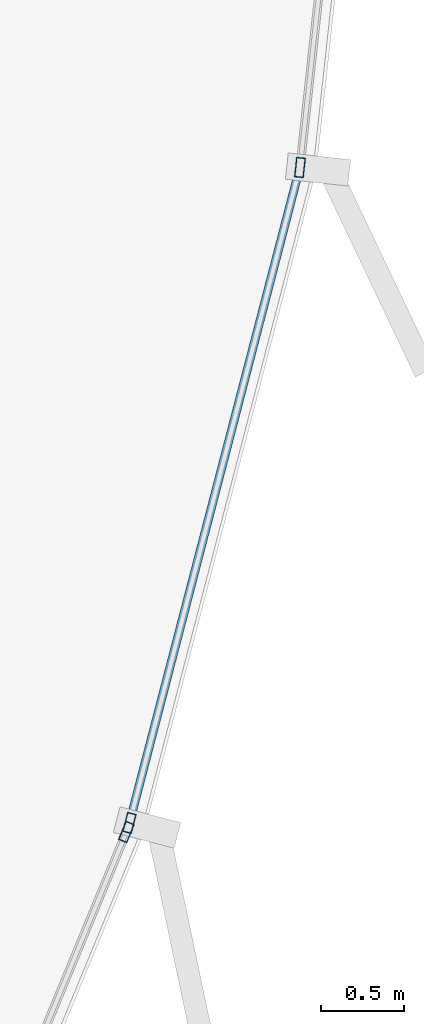
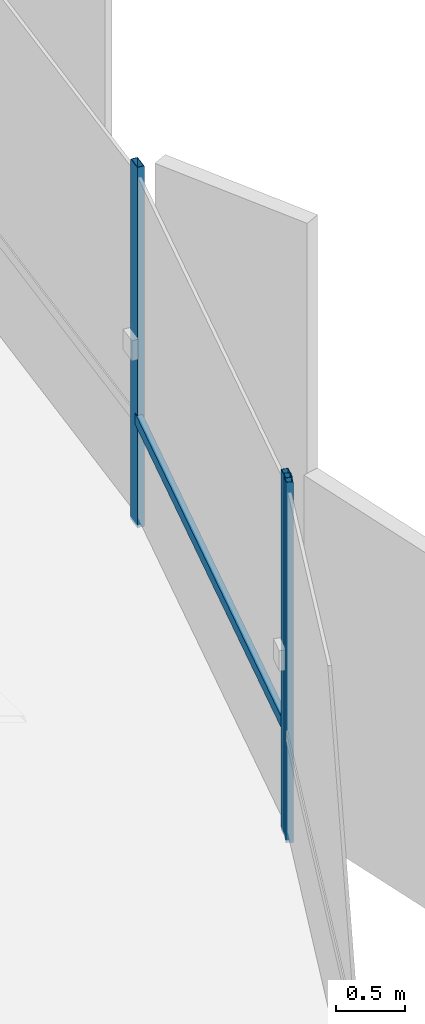
# One storey, part 16 of 36: 4 members, 2 elements without a shape of their own.
"""IFC4 building model written with IfcOpenShell, lengths in metres."""

from ifc_helpers import new_model, si_unit, direction, frame, origin, origin_2d, place, context, subcontext, project, spatial, hollow_rectangle, extrude, source, transform, mapped, material, layer, layer_set, material_profile, profile_set, type_object, element, aggregate, save


model = new_model("IFC4")

# Units and contexts
model_context = context("Model", 3, precision=1e-05, world=origin(), true_north=direction((0.0, 1.0)))
body_context = subcontext(model_context, "Body", "Model", "MODEL_VIEW")
ifc_project = project(units=[si_unit("LENGTHUNIT", "METRE"), si_unit("AREAUNIT", "SQUARE_METRE"), si_unit("VOLUMEUNIT", "CUBIC_METRE"), si_unit("PLANEANGLEUNIT", "RADIAN"), si_unit("MASSUNIT", "GRAM", prefix="KILO"), si_unit("THERMODYNAMICTEMPERATUREUNIT", "KELVIN")], contexts=[model_context])

# Site, building, storey
site_placement = place(None, origin())
site = spatial("IfcSite", under=ifc_project, at=site_placement, CompositionType="ELEMENT")
building_placement = place(site_placement, origin())
building = spatial("IfcBuilding", under=site, at=building_placement, Name="Kethvar Cultural Tower", CompositionType="ELEMENT")
storey_placement = place(building_placement, frame((0.0, 0.0, 228.39990234375)))
storey = spatial("IfcBuildingStorey", under=building, at=storey_placement, Name="L59", CompositionType="ELEMENT", Elevation=228.39990234375)

# Curtain wall, member
ifc_material = material(Name="Aluminium 6063-T6", Category="aluminium")
ifc_layer = layer(ifc_material, 0.179931640625, Name="Aluminium 6063-T6", Category="aluminium")
ifc_layer_set = layer_set([ifc_layer], Name="Aluminium 6063-T6 (180 mm)")
curtain_wall_type = type_object("IfcCurtainWallType", Name="CW-SYS-05-Z56", PredefinedType="NOTDEFINED", material=ifc_layer_set)
curtain_wall_1_placement = place(storey_placement, origin())
curtain_wall_1 = element("IfcCurtainWall", 1, at=curtain_wall_1_placement, inside=storey, type_object=curtain_wall_type, Name="L59 Curtain Wall Run 05", PredefinedType="NOTDEFINED")
ifc_material_profile_1 = material_profile(ifc_material, hollow_rectangle(XDim=0.054931640625, YDim=0.1201171875, WallThickness=0.00390625, at=origin_2d()), Name="Aluminium 6063-T6 — RHS120x55x4")
ifc_profile_set_1 = profile_set([ifc_material_profile_1], Name="Aluminium 6063-T6 — RHS120x55x4")
member_type_1 = type_object("IfcMemberType", Name="CW-SYS-05-Z56-MUL", PredefinedType="MULLION", material=ifc_profile_set_1)
shared_shape_1 = source(origin(), body_context, "Body", "SweptSolid", [
    extrude(hollow_rectangle(XDim=0.054931640625, YDim=0.1201171875, WallThickness=0.00390625, at=origin_2d()), origin(), (0.0, 0.0, 1.0), 3.210205078125),
])
member_1_placement = place(storey_placement, frame((67.2294921875, 25.522705078125, 0.0), z_axis=(0.0, 0.0, 1.0), x_axis=(-0.924279771018, 0.381715738328, 0.0)))
member_1 = element("IfcMember", 2, at=member_1_placement, type_object=member_type_1, Name="CW-L59-R05 Mullion 7", PredefinedType="MULLION", context=body_context, shape_type="MappedRepresentation", body=[
    mapped(shared_shape_1, transform((0.0, 0.0, 0.0), scale=1.0)),
])
aggregate(curtain_wall_1, [member_1])

# Curtain wall, members
curtain_wall_2_placement = place(storey_placement, origin())
curtain_wall_2 = element("IfcCurtainWall", 3, at=curtain_wall_2_placement, inside=storey, type_object=curtain_wall_type, Name="L59 Curtain Wall Run 06", PredefinedType="NOTDEFINED")
member_2_placement = place(storey_placement, frame((67.247802734375, 25.577392578125, 0.0), z_axis=(0.0, 0.0, 1.0), x_axis=(-0.967849801635, 0.251528848198, 0.0)))
member_2 = element("IfcMember", 4, at=member_2_placement, type_object=member_type_1, Name="CW-L59-R06 Mullion 1", PredefinedType="MULLION", context=body_context, shape_type="MappedRepresentation", body=[
    mapped(shared_shape_1, transform((0.0, 0.0, 0.0), scale=1.0)),
])
member_3_placement = place(storey_placement, frame((68.27978515625, 29.54443359375, 0.0), z_axis=(0.0, 0.0, 1.0), x_axis=(-0.994084805437, 0.108606627783, 0.0)))
member_3 = element("IfcMember", 5, at=member_3_placement, type_object=member_type_1, Name="CW-L59-R06 Mullion 2", PredefinedType="MULLION", context=body_context, shape_type="MappedRepresentation", body=[
    mapped(shared_shape_1, transform((0.0, 0.0, 0.0), scale=1.0)),
])
ifc_material_profile_2 = material_profile(ifc_material, hollow_rectangle(XDim=0.050048828125, YDim=0.10009765625, WallThickness=0.00390625, at=origin_2d()), Name="Aluminium 6063-T6 — RHS100x50x4")
ifc_profile_set_2 = profile_set([ifc_material_profile_2], Name="Aluminium 6063-T6 — RHS100x50x4")
member_type_2 = type_object("IfcMemberType", Name="CW-SYS-05-Z56-TRN", PredefinedType="USERDEFINED", material=ifc_profile_set_2)
shared_shape_2 = source(origin(), body_context, "Body", "SweptSolid", [
    extrude(hollow_rectangle(XDim=0.050048828125, YDim=0.10009765625, WallThickness=0.00390625, at=origin_2d()), origin(), (0.0, 0.0, 1.0), 4.070068359375),
])
member_4_placement = place(storey_placement, frame((67.248779296875, 25.5810546875, 0.9501953125), z_axis=(0.251572047039, 0.96783857391, 0.0), x_axis=(-0.96783857391, 0.251572047039, 0.0)))
member_4 = element("IfcMember", 6, at=member_4_placement, type_object=member_type_2, Name="CW-L59-R06 Transom 1", ObjectType="TRANSOM", PredefinedType="USERDEFINED", context=body_context, shape_type="MappedRepresentation", body=[
    mapped(shared_shape_2, transform((0.0, 0.0, 0.0), scale=1.0)),
])
aggregate(curtain_wall_2, [member_2, member_3, member_4])

save(model, "model.ifc")
